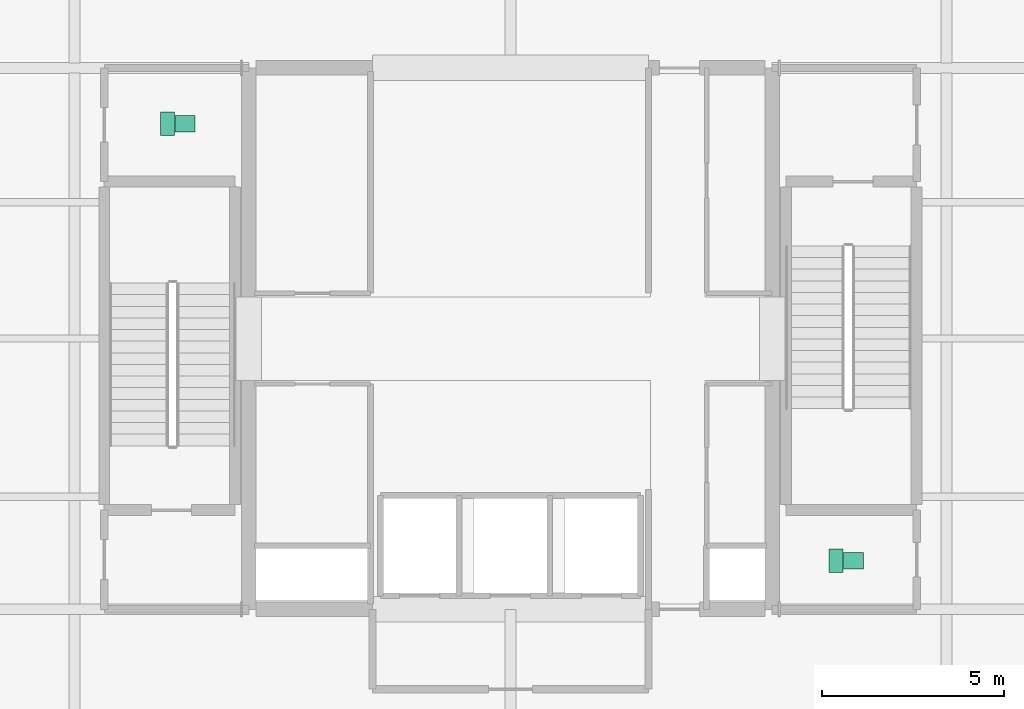
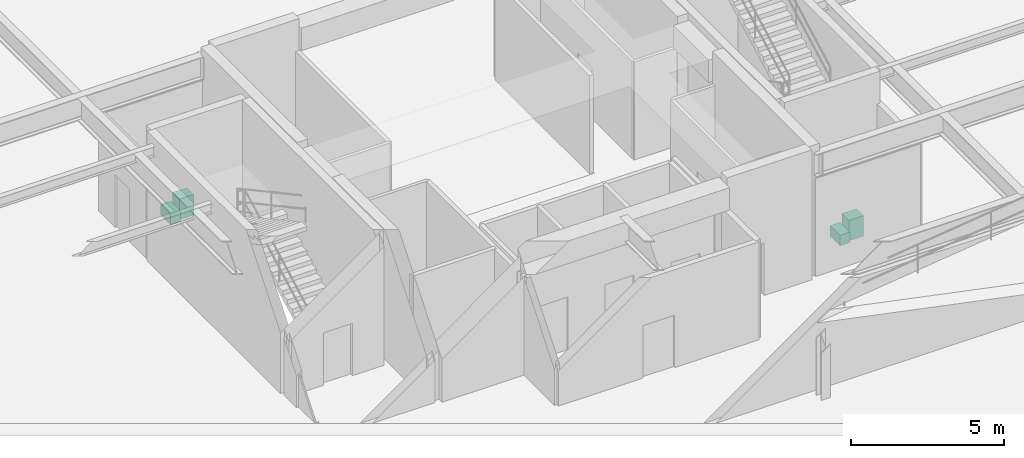
# One storey, part 16 of 16: 4 sanitary terminals.
"""IFC4 building model written with IfcOpenShell, lengths in metres."""

from ifc_helpers import new_model, si_unit, direction, frame, origin, origin_2d, place, context, subcontext, project, spatial, rectangle, extrude, material, type_object, element, save


model = new_model("IFC4")

# Units and contexts
model_context = context("Model", 3, precision=1e-05, world=origin(), true_north=direction((0.0, 1.0)))
body_context = subcontext(model_context, "Body", "Model", "MODEL_VIEW")
ifc_project = project(units=[si_unit("LENGTHUNIT", "METRE"), si_unit("AREAUNIT", "SQUARE_METRE"), si_unit("VOLUMEUNIT", "CUBIC_METRE"), si_unit("PLANEANGLEUNIT", "RADIAN"), si_unit("MASSUNIT", "GRAM", prefix="KILO")], contexts=[model_context])

# Site, building, storey
site_placement = place(None, origin())
site = spatial("IfcSite", under=ifc_project, at=site_placement, CompositionType="ELEMENT")
building_placement = place(site_placement, origin())
building = spatial("IfcBuilding", under=site, at=building_placement, Name="Veldorina Hangang Commons", CompositionType="ELEMENT")
storey_placement = place(building_placement, frame((0.0, 0.0, -5.199951171875)))
storey = spatial("IfcBuildingStorey", under=building, at=storey_placement, Name="B01", CompositionType="ELEMENT", Elevation=-5.199951171875)

# Sanitary terminals
ifc_material = material(Name="Vitreous China Glazed White", Category="ceramic")
sanitary_terminal_type_1 = type_object("IfcSanitaryTerminalType", Name="SAN-BSN-1", PredefinedType="WASHHANDBASIN", material=ifc_material)
for number, where, z_axis, x_axis, name in (
    (1, (23.0400390625, 29.909912109375, 0.0), (0.0, 0.0, 1.0), (1.0, 0.0, 0.0), "B01 Accessible Restroom WC wash hand basin"),
    (2, (41.43994140625, 17.889892578125, 0.0), (0.0, 0.0, 1.0), (1.0, 0.0, 0.0), "B01 Common Restroom WC wash hand basin"),
):
    element("IfcSanitaryTerminal", number, at=place(storey_placement, frame(where, z_axis=z_axis, x_axis=x_axis)), inside=storey, type_object=sanitary_terminal_type_1, Name=name, PredefinedType="WASHHANDBASIN", context=body_context, shape_type="SweptSolid", body=[
        extrude(rectangle(XDim=0.550048828125, YDim=0.449951171875, at=origin_2d()), origin(), (0.0, 0.0, 1.0), 0.820068359375),
    ])
sanitary_terminal_type_2 = type_object("IfcSanitaryTerminalType", Name="SAN-WC-1", PredefinedType="TOILETPAN", material=ifc_material)
for number, where, z_axis, x_axis, name in (
    (3, (22.56005859375, 29.909912109375, 0.0), (0.0, 0.0, 1.0), (1.0, 0.0, 0.0), "B01 Accessible Restroom WC water closet"),
    (4, (40.9599609375, 17.889892578125, 0.0), (0.0, 0.0, 1.0), (1.0, 0.0, 0.0), "B01 Common Restroom WC water closet"),
):
    element("IfcSanitaryTerminal", number, at=place(storey_placement, frame(where, z_axis=z_axis, x_axis=x_axis)), inside=storey, type_object=sanitary_terminal_type_2, Name=name, PredefinedType="TOILETPAN", context=body_context, shape_type="SweptSolid", body=[
        extrude(rectangle(XDim=0.3798828125, YDim=0.64990234375, at=origin_2d()), origin(), (0.0, 0.0, 1.0), 0.419921875),
    ])

save(model, "model.ifc")
